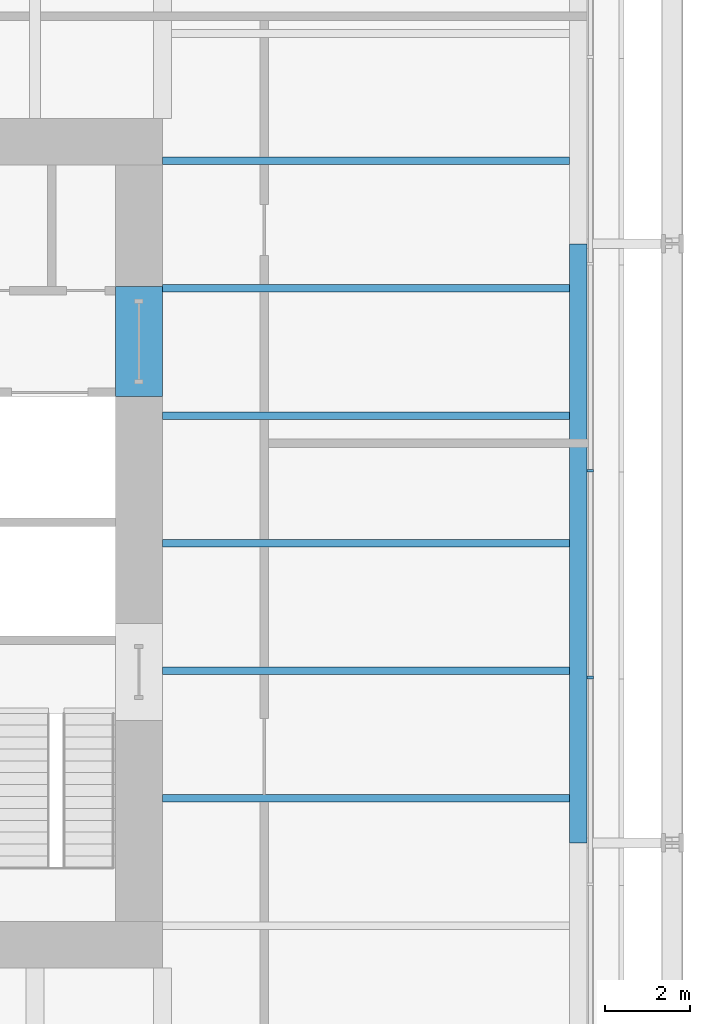
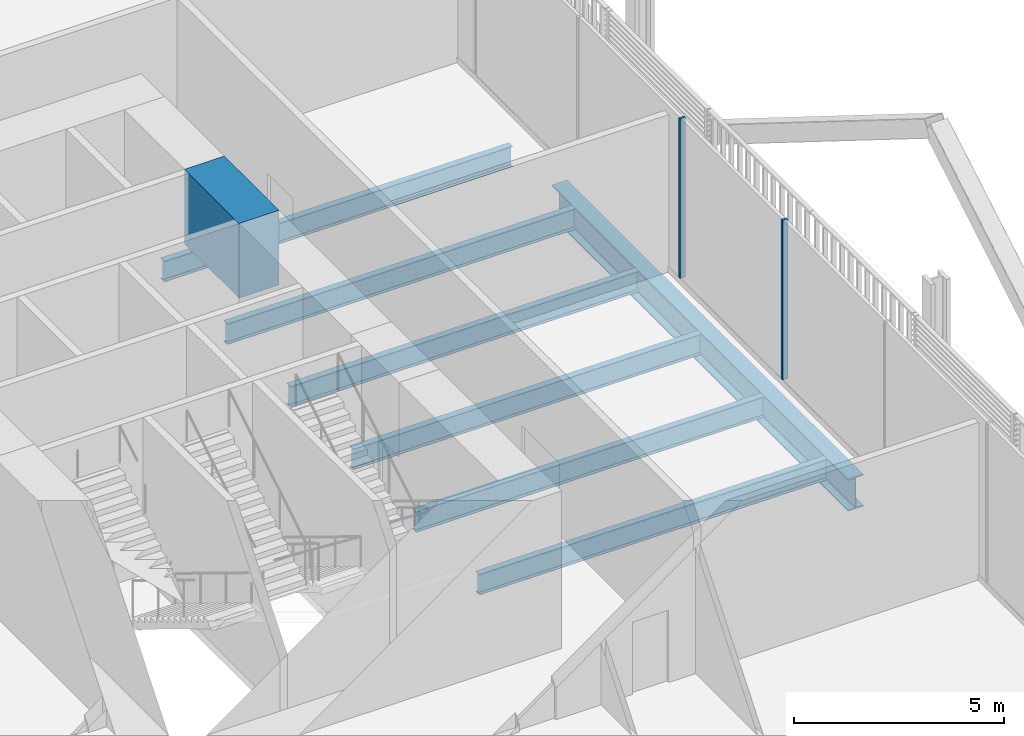
# One storey, part 15 of 26: 8 beams, 2 members, 1 element without a shape of its own.
"""IFC4 building model written with IfcOpenShell, lengths in metres."""

from ifc_helpers import new_model, si_unit, direction, frame, origin, origin_2d, place, context, subcontext, project, spatial, rectangle, i_section, extrude, material, layer, layer_set, material_profile, profile_set, type_object, element, aggregate, save


model = new_model("IFC4")

# Units and contexts
model_context = context("Model", 3, precision=1e-05, world=origin(), true_north=direction((0.0, 1.0)))
body_context = subcontext(model_context, "Body", "Model", "MODEL_VIEW")
ifc_project = project(units=[si_unit("LENGTHUNIT", "METRE"), si_unit("AREAUNIT", "SQUARE_METRE"), si_unit("VOLUMEUNIT", "CUBIC_METRE"), si_unit("PLANEANGLEUNIT", "RADIAN"), si_unit("MASSUNIT", "GRAM", prefix="KILO")], contexts=[model_context])

# Site, building, storey
site_placement = place(None, origin())
site = spatial("IfcSite", under=ifc_project, at=site_placement, CompositionType="ELEMENT")
building_placement = place(site_placement, origin())
building = spatial("IfcBuilding", under=site, at=building_placement, Name="Millrace Tower", CompositionType="ELEMENT")
storey_placement = place(building_placement, frame((0.0, 0.0, 11.300048828125)))
storey = spatial("IfcBuildingStorey", under=building, at=storey_placement, Name="L03", CompositionType="ELEMENT", Elevation=11.300048828125)

# Curtain wall, members
ifc_material_1 = material(Name="Aluminium and glass", Category="aluminium")
ifc_layer = layer(ifc_material_1, 0.14990234375)
ifc_layer_set = layer_set([ifc_layer], Name="Aluminium and glass")
curtain_wall_type = type_object("IfcCurtainWallType", Name="CW-2 data hall insulated curtain wall", PredefinedType="NOTDEFINED", material=ifc_layer_set)
curtain_wall_placement = place(storey_placement, origin())
curtain_wall = element("IfcCurtainWall", 1, at=curtain_wall_placement, inside=storey, type_object=curtain_wall_type, Name="Curtain wall AW3-F02 L03 CW2", PredefinedType="NOTDEFINED")
ifc_material_2 = material(Name="Aluminium", Category="aluminium")
ifc_material_profile_1 = material_profile(ifc_material_2, rectangle(XDim=0.06494140625, YDim=0.14990234375, at=origin_2d()))
ifc_profile_set_1 = profile_set([ifc_material_profile_1], Name="Aluminium")
member_type = type_object("IfcMemberType", Name="CW-2 data hall insulated curtain wall mullion", PredefinedType="MULLION", material=ifc_profile_set_1)
member_1_placement = place(storey_placement, frame((25.074951171875, -3.158447265625, 0.159912109375), z_axis=(0.0, 0.0, 1.0), x_axis=(0.0, 1.0, 0.0)))
member_1 = element("IfcMember", 2, at=member_1_placement, type_object=member_type, Name="CW2 mullion AW3-F02.7", PredefinedType="MULLION", context=body_context, shape_type="SweptSolid", body=[
    extrude(rectangle(XDim=0.06494140625, YDim=0.14990234375, at=origin_2d()), origin(), (0.0, 0.0, 1.0), 4.64013671875),
])
member_2_placement = place(storey_placement, frame((25.074951171875, 1.709716796875, 0.159912109375), z_axis=(0.0, 0.0, 1.0), x_axis=(0.0, 1.0, 0.0)))
member_2 = element("IfcMember", 3, at=member_2_placement, type_object=member_type, Name="CW2 mullion AW3-F02.8", PredefinedType="MULLION", context=body_context, shape_type="SweptSolid", body=[
    extrude(rectangle(XDim=0.06494140625, YDim=0.14990234375, at=origin_2d()), origin(), (0.0, 0.0, 1.0), 4.64013671875),
])
aggregate(curtain_wall, [member_1, member_2])

# Beams
ifc_material_3 = material(Name="Concrete C80", Category="concrete")
ifc_material_profile_2 = material_profile(ifc_material_3, rectangle(XDim=1.10009765625, YDim=2.175048828125, at=origin_2d()))
ifc_profile_set_2 = profile_set([ifc_material_profile_2], Name="Concrete C80")
beam_type_1 = type_object("IfcBeamType", Name="Coupling beam 1100 x 2175 Concrete C80, 2000 opening", PredefinedType="BEAM", material=ifc_profile_set_2)
beam_1_placement = place(storey_placement, frame((14.449951171875, 6.050048828125, 3.487548828125), z_axis=(0.0, -1.0, 0.0), x_axis=(1.0, 0.0, 0.0)))
element("IfcBeam", 4, at=beam_1_placement, inside=storey, type_object=beam_type_1, Name="Coupling beam E L03", PredefinedType="BEAM", context=body_context, shape_type="SweptSolid", body=[
    extrude(rectangle(XDim=1.10009765625, YDim=2.175048828125, at=origin_2d()), origin(), (0.0, 0.0, 1.0), 2.60009765625),
])
ifc_material_4 = material(Name="Steel ASTM A992 Grade 50", Category="steel")
ifc_material_profile_3 = material_profile(ifc_material_4, i_section(OverallWidth=0.1787109375, OverallDepth=0.60205078125, WebThickness=0.010986328125, FlangeThickness=0.014892578125, FilletRadius=0.0126953125, at=origin_2d()))
ifc_profile_set_3 = profile_set([ifc_material_profile_3], Name="Steel ASTM A992 Grade 50")
beam_type_2 = type_object("IfcBeamType", Name="Floor beam W24x62", PredefinedType="JOIST", material=ifc_profile_set_3)
for number, where, z_axis, x_axis, name in (
    (5, (15.0, -6.0, -0.526123046875), (1.0, 0.0, 0.0), (0.0, 1.0, 0.0), "BM-A-L03-S1-S022"),
    (6, (15.0, -3.0, -0.526123046875), (1.0, 0.0, 0.0), (0.0, 1.0, 0.0), "BM-A-L03-S1-S025"),
    (7, (15.0, 0.0, -0.526123046875), (1.0, 0.0, 0.0), (0.0, 1.0, 0.0), "BM-A-L03-S1-S028"),
    (8, (15.0, 3.0, -0.526123046875), (1.0, 0.0, 0.0), (0.0, 1.0, 0.0), "BM-A-L03-S1-S031"),
    (9, (15.0, 6.0, -0.526123046875), (1.0, 0.0, 0.0), (0.0, 1.0, 0.0), "BM-A-L03-S1-S034"),
    (10, (15.0, 9.0, -0.526123046875), (1.0, 0.0, 0.0), (0.0, 1.0, 0.0), "BM-A-L03-S1-S037"),
):
    element("IfcBeam", number, at=place(storey_placement, frame(where, z_axis=z_axis, x_axis=x_axis)), inside=storey, type_object=beam_type_2, Name=name, PredefinedType="JOIST", context=body_context, shape_type="SweptSolid", body=[
        extrude(i_section(OverallWidth=0.1787109375, OverallDepth=0.60205078125, WebThickness=0.010986328125, FlangeThickness=0.014892578125, FilletRadius=0.0126953125, at=origin_2d()), origin(), (0.0, 0.0, 1.0), 9.578369140625),
    ])
ifc_material_5 = material(Name="Steel ASTM A992 Grade 50", Category="steel")
ifc_material_profile_4 = material_profile(ifc_material_5, i_section(OverallWidth=0.421630859375, OverallDepth=0.937255859375, WebThickness=0.021240234375, FlangeThickness=0.03662109375, FilletRadius=0.024169921875, at=origin_2d()))
ifc_profile_set_4 = profile_set([ifc_material_profile_4], Name="Steel ASTM A992 Grade 50")
beam_type_3 = type_object("IfcBeamType", Name="Ring beam medium span W36x262", PredefinedType="SPANDREL", material=ifc_profile_set_4)
beam_2_placement = place(storey_placement, frame((24.7890625, 7.050048828125, -0.693603515625), z_axis=(0.0, -1.0, 0.0), x_axis=(1.0, 0.0, 0.0)))
element("IfcBeam", 11, at=beam_2_placement, inside=storey, type_object=beam_type_3, Name="RNG-A-L03-S1-11", PredefinedType="SPANDREL", context=body_context, shape_type="SweptSolid", body=[
    extrude(i_section(OverallWidth=0.421630859375, OverallDepth=0.937255859375, WebThickness=0.021240234375, FlangeThickness=0.03662109375, FilletRadius=0.024169921875, at=origin_2d()), origin(), (0.0, 0.0, 1.0), 14.10009765625),
])

save(model, "model.ifc")
